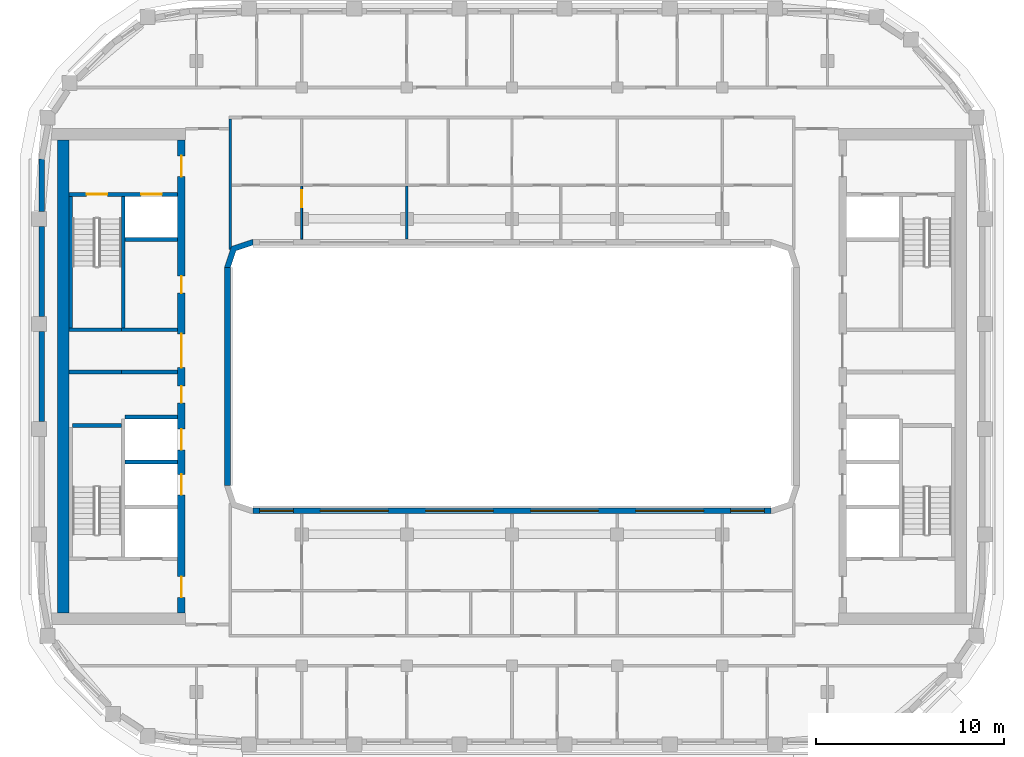
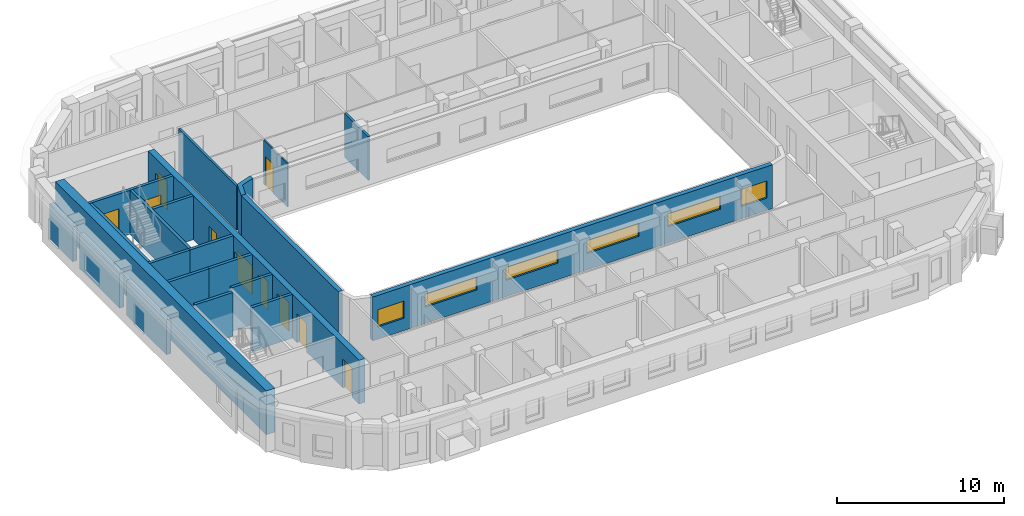
# One storey, part 4 of 16: 22 walls, 10 doors, 6 windows, 16 openings.
"""IFC4 building model written with IfcOpenShell, lengths in metres."""

from ifc_helpers import new_model, si_unit, direction, frame, frame_2d, origin, place, context, subcontext, project, spatial, polyline, rectangle, outline, extrude, material, layer, layer_set, type_object, element, fill, save


model = new_model("IFC4")

# Units and contexts
model_context = context("Model", 3, precision=1e-05, world=origin(), true_north=direction((0.0, 1.0)))
body_context = subcontext(model_context, "Body", "Model", "MODEL_VIEW")
ifc_project = project(units=[si_unit("LENGTHUNIT", "METRE"), si_unit("AREAUNIT", "SQUARE_METRE"), si_unit("VOLUMEUNIT", "CUBIC_METRE"), si_unit("PLANEANGLEUNIT", "RADIAN"), si_unit("MASSUNIT", "GRAM", prefix="KILO")], contexts=[model_context])

# Site, building, storey
site_placement = place(None, origin())
site = spatial("IfcSite", under=ifc_project, at=site_placement, CompositionType="ELEMENT")
building_placement = place(site_placement, origin())
building = spatial("IfcBuilding", under=site, at=building_placement, Name="Kiln Ring Residences", CompositionType="ELEMENT")
storey_placement = place(building_placement, frame((0.0, 0.0, 255.699951171875)))
storey = spatial("IfcBuildingStorey", under=building, at=storey_placement, Name="L66", CompositionType="ELEMENT", Elevation=255.699951171875)

# Walls
ifc_material_1 = material(Name="Gypsum board on steel studs", Category="steel")
ifc_layer_1 = layer(ifc_material_1, 0.199951171875)
ifc_layer_set_1 = layer_set([ifc_layer_1], Name="CORE-PARTITION-200")
wall_type_1 = type_object("IfcWallType", Name="CORE-PARTITION-200", PredefinedType="PARTITIONING", material=ifc_layer_set_1)
wall_1_placement = place(storey_placement, frame((-20.800048828125, 0.25, 0.0), z_axis=(0.0, 0.0, 1.0), x_axis=(-1.0, 0.0, 0.0)))
element("IfcWall", 1, at=wall_1_placement, inside=storey, type_object=wall_type_1, Name="Core partition west L66 1", PredefinedType="PARTITIONING", context=body_context, shape_type="SweptSolid", body=[
    extrude(rectangle(XDim=2.800048828125, YDim=0.199951171875, at=frame_2d((1.39990234375, 0.0))), origin(), (0.0, 0.0, 1.0), 3.199951171875),
])
ifc_material_2 = material(Name="Gypsum shaft wall system")
ifc_layer_2 = layer(ifc_material_2, 0.199951171875)
ifc_layer_set_2 = layer_set([ifc_layer_2], Name="CORE-SHAFT-WALL-200")
wall_type_2 = type_object("IfcWallType", Name="CORE-SHAFT-WALL-200", PredefinedType="PARTITIONING", material=ifc_layer_set_2)
for number, where, z_axis, x_axis, name in (
    (2, (-17.800048828125, -4.550048828125, 0.0), (0.0, 0.0, 1.0), (-1.0, 0.0, 0.0), "Core partition west L66 3"),
    (3, (-17.800048828125, -2.14990234375, 0.0), (0.0, 0.0, 1.0), (-1.0, 0.0, 0.0), "Core partition west L66 4"),
):
    element("IfcWall", number, at=place(storey_placement, frame(where, z_axis=z_axis, x_axis=x_axis)), inside=storey, type_object=wall_type_2, Name=name, PredefinedType="PARTITIONING", context=body_context, shape_type="SweptSolid", body=[
        extrude(rectangle(XDim=2.800048828125, YDim=0.199951171875, at=frame_2d((1.39990234375, 0.0))), origin(), (0.0, 0.0, 1.0), 3.199951171875),
    ])
for number, where, z_axis, x_axis, name in (
    (4, (-17.800048828125, 0.25, 0.0), (0.0, 0.0, 1.0), (-1.0, 0.0, 0.0), "Core partition west L66 5"),
    (5, (-17.800048828125, 2.5, 0.0), (0.0, 0.0, 1.0), (-1.0, 0.0, 0.0), "Core partition west L66 6"),
):
    element("IfcWall", number, at=place(storey_placement, frame(where, z_axis=z_axis, x_axis=x_axis)), inside=storey, type_object=wall_type_2, Name=name, PredefinedType="PARTITIONING", context=body_context, shape_type="SweptSolid", body=[
        extrude(rectangle(XDim=3.0, YDim=0.199951171875, at=frame_2d((1.5, 0.0))), origin(), (0.0, 0.0, 1.0), 3.199951171875),
    ])
wall_2_placement = place(storey_placement, frame((-17.800048828125, 7.300048828125, 0.0), z_axis=(0.0, 0.0, 1.0), x_axis=(-1.0, 0.0, 0.0)))
element("IfcWall", 6, at=wall_2_placement, inside=storey, type_object=wall_type_2, Name="Core partition west L66 7", PredefinedType="PARTITIONING", context=body_context, shape_type="SweptSolid", body=[
    extrude(rectangle(XDim=2.800048828125, YDim=0.199951171875, at=frame_2d((1.39990234375, 0.0))), origin(), (0.0, 0.0, 1.0), 3.199951171875),
])
ifc_material_3 = material(Name="Concrete C40/50", Category="concrete")
ifc_layer_3 = layer(ifc_material_3, 0.199951171875)
ifc_layer_set_3 = layer_set([ifc_layer_3], Name="CORE-WALL-RC200")
wall_type_3 = type_object("IfcWallType", Name="CORE-WALL-RC200", PredefinedType="SHEAR", material=ifc_layer_set_3)
wall_3_placement = place(storey_placement, frame((-20.699951171875, 2.60009765625, 0.0), z_axis=(0.0, 0.0, 1.0), x_axis=(0.0, 1.0, 0.0)))
element("IfcWall", 7, at=wall_3_placement, inside=storey, type_object=wall_type_3, Name="Core wall west L66 1", PredefinedType="SHEAR", context=body_context, shape_type="SweptSolid", body=[
    extrude(rectangle(XDim=7.0, YDim=0.199951171875, at=frame_2d((3.5, 0.0))), origin(), (0.0, 0.0, 1.0), 3.199951171875),
])
wall_4_placement = place(storey_placement, frame((-20.800048828125, 2.5, 0.0), z_axis=(0.0, 0.0, 1.0), x_axis=(-1.0, 0.0, 0.0)))
element("IfcWall", 8, at=wall_4_placement, inside=storey, type_object=wall_type_3, Name="Core wall west L66 3", PredefinedType="SHEAR", context=body_context, shape_type="SweptSolid", body=[
    extrude(rectangle(XDim=2.800048828125, YDim=0.199951171875, at=frame_2d((1.39990234375, 0.0))), origin(), (0.0, 0.0, 1.0), 3.199951171875),
])

# Wall, openings, doors
wall_5_placement = place(storey_placement, frame((-17.800048828125, 9.699951171875, 0.0), z_axis=(0.0, 0.0, 1.0), x_axis=(-1.0, 0.0, 0.0)))
wall_5 = element("IfcWall", 9, at=wall_5_placement, inside=storey, type_object=wall_type_3, Name="Core wall west L66 9", PredefinedType="SHEAR", context=body_context, shape_type="SweptSolid", body=[
    extrude(rectangle(XDim=5.800048828125, YDim=0.199951171875, at=frame_2d((2.89990234375, 0.0))), origin(), (0.0, 0.0, 1.0), 3.199951171875),
])
opening_1_placement = place(wall_5_placement, frame((0.85009765625, 0.0, 0.0)))
opening_1 = element("IfcOpeningElement", 10, at=opening_1_placement, cuts=wall_5, Name="Opening L66-CW06", PredefinedType="OPENING", context=body_context, shape_type="SweptSolid", body=[
    extrude(rectangle(XDim=1.10009765625, YDim=2.10009765625, at=frame_2d((0.550048828125, 1.050048828125))), frame((0.0, 0.10986328125, 0.0), z_axis=(0.0, -1.0, 0.0), x_axis=(1.0, 0.0, 0.0)), (0.0, 0.0, 1.0), 0.219970703125),
])
opening_2_placement = place(wall_5_placement, frame((3.75, 0.0, 0.0)))
opening_2 = element("IfcOpeningElement", 11, at=opening_2_placement, cuts=wall_5, Name="Opening L66-CW09", PredefinedType="OPENING", context=body_context, shape_type="SweptSolid", body=[
    extrude(rectangle(XDim=1.10009765625, YDim=2.10009765625, at=frame_2d((0.550048828125, 1.050048828125))), frame((0.0, 0.10986328125, 0.0), z_axis=(0.0, -1.0, 0.0), x_axis=(1.0, 0.0, 0.0)), (0.0, 0.0, 1.0), 0.219970703125),
])
ifc_material_4 = material(Name="Steel door leaf", Category="steel")
door_type_1 = type_object("IfcDoorType", Name="CORE-DOOR-LD", OperationType="DOUBLE_DOOR_SLIDING", PredefinedType="DOOR", material=ifc_material_4)
door_1_placement = place(opening_1_placement, origin())
door_1 = element("IfcDoor", 12, at=door_1_placement, inside=storey, type_object=door_type_1, Name="LD W-FF L66-CW06", OperationType="DOUBLE_DOOR_SLIDING", OverallHeight=2.10009765625, OverallWidth=1.10009765625, PredefinedType="DOOR", context=body_context, shape_type="SweptSolid", body=[
    extrude(rectangle(XDim=1.10009765625, YDim=2.10009765625, at=frame_2d((0.550048828125, 1.050048828125))), frame((0.0, 0.02490234375, 0.0), z_axis=(0.0, -1.0, 0.0), x_axis=(1.0, 0.0, 0.0)), (0.0, 0.0, 1.0), 0.050048828125),
])
fill(opening_1, door_1)
ifc_material_5 = material(Name="Steel door leaf", Category="steel")
door_type_2 = type_object("IfcDoorType", Name="CORE-DOOR-STAIR", OperationType="SINGLE_SWING_LEFT", PredefinedType="DOOR", material=ifc_material_5)
door_2_placement = place(opening_2_placement, origin())
door_2 = element("IfcDoor", 13, at=door_2_placement, inside=storey, type_object=door_type_2, Name="Stair W-STN L66-CW09", OperationType="SINGLE_SWING_LEFT", OverallHeight=2.10009765625, OverallWidth=1.10009765625, PredefinedType="DOOR", context=body_context, shape_type="SweptSolid", body=[
    extrude(rectangle(XDim=1.10009765625, YDim=2.10009765625, at=frame_2d((0.550048828125, 1.050048828125))), frame((0.0, 0.02490234375, 0.0), z_axis=(0.0, -1.0, 0.0), x_axis=(1.0, 0.0, 0.0)), (0.0, 0.0, 1.0), 0.050048828125),
])
fill(opening_2, door_2)

# Walls
wall_6_placement = place(storey_placement, frame((-23.5, 2.60009765625, 0.0), z_axis=(0.0, 0.0, 1.0), x_axis=(0.0, 1.0, 0.0)))
element("IfcWall", 14, at=wall_6_placement, inside=storey, type_object=wall_type_3, Name="Core wall west L66 10", PredefinedType="SHEAR", context=body_context, shape_type="SweptSolid", body=[
    extrude(rectangle(XDim=7.0, YDim=0.199951171875, at=frame_2d((3.5, 0.0))), origin(), (0.0, 0.0, 1.0), 3.199951171875),
])
wall_7_placement = place(storey_placement, frame((-20.800048828125, -2.60009765625, 0.0), z_axis=(0.0, 0.0, 1.0), x_axis=(-1.0, 0.0, 0.0)))
element("IfcWall", 15, at=wall_7_placement, inside=storey, type_object=wall_type_3, Name="Core wall west L66 12", PredefinedType="SHEAR", context=body_context, shape_type="SweptSolid", body=[
    extrude(rectangle(XDim=2.599853515625, YDim=0.199951171875, at=frame_2d((1.2998046875, 0.0))), origin(), (0.0, 0.0, 1.0), 3.199951171875),
])

# Wall, openings, doors
ifc_material_6 = material(Name="Concrete C60/75", Category="concrete")
ifc_layer_4 = layer(ifc_material_6, 0.39990234375)
ifc_layer_set_4 = layer_set([ifc_layer_4], Name="CORE-WALL-RC400")
wall_type_4 = type_object("IfcWallType", Name="CORE-WALL-RC400", PredefinedType="SHEAR", material=ifc_layer_set_4)
wall_8_placement = place(storey_placement, frame((-17.60009765625, -12.60009765625, 0.0), z_axis=(0.0, 0.0, 1.0), x_axis=(0.0, 1.0, 0.0)))
wall_8 = element("IfcWall", 16, at=wall_8_placement, inside=storey, type_object=wall_type_4, Name="Core wall west L66 6", PredefinedType="SHEAR", context=body_context, shape_type="SweptSolid", body=[
    extrude(rectangle(XDim=25.2001953125, YDim=0.39990234375, at=frame_2d((12.60009765625, 0.0))), origin(), (0.0, 0.0, 1.0), 3.199951171875),
])
opening_3_placement = place(wall_8_placement, frame((6.300048828125, 0.0, 0.0)))
opening_3 = element("IfcOpeningElement", 17, at=opening_3_placement, cuts=wall_8, Name="Opening L66-CW02", PredefinedType="OPENING", context=body_context, shape_type="SweptSolid", body=[
    extrude(rectangle(XDim=1.10009765625, YDim=2.10009765625, at=frame_2d((0.550048828125, 1.050048828125))), frame((0.0, 0.2099609375, 0.0), z_axis=(0.0, -1.0, 0.0), x_axis=(1.0, 0.0, 0.0)), (0.0, 0.0, 1.0), 0.419921875),
])
opening_4_placement = place(wall_8_placement, frame((8.699951171875, 0.0, 0.0)))
opening_4 = element("IfcOpeningElement", 18, at=opening_4_placement, cuts=wall_8, Name="Opening L66-CW03", PredefinedType="OPENING", context=body_context, shape_type="SweptSolid", body=[
    extrude(rectangle(XDim=1.10009765625, YDim=2.10009765625, at=frame_2d((0.550048828125, 1.050048828125))), frame((0.0, 0.2099609375, 0.0), z_axis=(0.0, -1.0, 0.0), x_axis=(1.0, 0.0, 0.0)), (0.0, 0.0, 1.0), 0.419921875),
])
opening_5_placement = place(wall_8_placement, frame((11.199951171875, 0.0, 0.0)))
opening_5 = element("IfcOpeningElement", 19, at=opening_5_placement, cuts=wall_8, Name="Opening L66-CW04", PredefinedType="OPENING", context=body_context, shape_type="SweptSolid", body=[
    extrude(rectangle(XDim=0.89990234375, YDim=2.10009765625, at=frame_2d((0.449951171875, 1.050048828125))), frame((0.0, 0.2099609375, 0.0), z_axis=(0.0, -1.0, 0.0), x_axis=(1.0, 0.0, 0.0)), (0.0, 0.0, 1.0), 0.419921875),
])
opening_6_placement = place(wall_8_placement, frame((17.050048828125, 0.0, 0.0)))
opening_6 = element("IfcOpeningElement", 20, at=opening_6_placement, cuts=wall_8, Name="Opening L66-CW05", PredefinedType="OPENING", context=body_context, shape_type="SweptSolid", body=[
    extrude(rectangle(XDim=0.89990234375, YDim=2.10009765625, at=frame_2d((0.449951171875, 1.050048828125))), frame((0.0, 0.2099609375, 0.0), z_axis=(0.0, -1.0, 0.0), x_axis=(1.0, 0.0, 0.0)), (0.0, 0.0, 1.0), 0.419921875),
])
opening_7_placement = place(wall_8_placement, frame((23.25, 0.0, 0.0)))
opening_7 = element("IfcOpeningElement", 21, at=opening_7_placement, cuts=wall_8, Name="Opening L66-CW07", PredefinedType="OPENING", context=body_context, shape_type="SweptSolid", body=[
    extrude(rectangle(XDim=1.10009765625, YDim=2.10009765625, at=frame_2d((0.550048828125, 1.050048828125))), frame((0.0, 0.2099609375, 0.0), z_axis=(0.0, -1.0, 0.0), x_axis=(1.0, 0.0, 0.0)), (0.0, 0.0, 1.0), 0.419921875),
])
opening_8_placement = place(wall_8_placement, frame((0.85009765625, 0.0, 0.0)))
opening_8 = element("IfcOpeningElement", 22, at=opening_8_placement, cuts=wall_8, Name="Opening L66-CW08", PredefinedType="OPENING", context=body_context, shape_type="SweptSolid", body=[
    extrude(rectangle(XDim=1.10009765625, YDim=2.10009765625, at=frame_2d((0.550048828125, 1.050048828125))), frame((0.0, 0.2099609375, 0.0), z_axis=(0.0, -1.0, 0.0), x_axis=(1.0, 0.0, 0.0)), (0.0, 0.0, 1.0), 0.419921875),
])
opening_9_placement = place(wall_8_placement, frame((13.074951171875, 0.0, 0.0)))
opening_9 = element("IfcOpeningElement", 23, at=opening_9_placement, cuts=wall_8, Name="Opening L66-CW11", PredefinedType="OPENING", context=body_context, shape_type="SweptSolid", body=[
    extrude(rectangle(XDim=1.800048828125, YDim=2.10009765625, at=frame_2d((0.89990234375, 1.050048828125))), frame((0.0, 0.2099609375, 0.0), z_axis=(0.0, -1.0, 0.0), x_axis=(1.0, 0.0, 0.0)), (0.0, 0.0, 1.0), 0.419921875),
])
door_3_placement = place(opening_3_placement, origin())
door_3 = element("IfcDoor", 24, at=door_3_placement, inside=storey, type_object=door_type_1, Name="LD W-H1 L66-CW02", OperationType="DOUBLE_DOOR_SLIDING", OverallHeight=2.10009765625, OverallWidth=1.10009765625, PredefinedType="DOOR", context=body_context, shape_type="SweptSolid", body=[
    extrude(rectangle(XDim=1.10009765625, YDim=2.10009765625, at=frame_2d((0.550048828125, 1.050048828125))), frame((0.0, 0.02490234375, 0.0), z_axis=(0.0, -1.0, 0.0), x_axis=(1.0, 0.0, 0.0)), (0.0, 0.0, 1.0), 0.050048828125),
])
fill(opening_3, door_3)
door_4_placement = place(opening_4_placement, origin())
door_4 = element("IfcDoor", 25, at=door_4_placement, inside=storey, type_object=door_type_1, Name="LD W-H2 L66-CW03", OperationType="DOUBLE_DOOR_SLIDING", OverallHeight=2.10009765625, OverallWidth=1.10009765625, PredefinedType="DOOR", context=body_context, shape_type="SweptSolid", body=[
    extrude(rectangle(XDim=1.10009765625, YDim=2.10009765625, at=frame_2d((0.550048828125, 1.050048828125))), frame((0.0, 0.02490234375, 0.0), z_axis=(0.0, -1.0, 0.0), x_axis=(1.0, 0.0, 0.0)), (0.0, 0.0, 1.0), 0.050048828125),
])
fill(opening_4, door_4)
ifc_material_7 = material(Name="Steel door leaf", Category="steel")
door_type_3 = type_object("IfcDoorType", Name="CORE-DOOR-LOBBY", OperationType="SINGLE_SWING_LEFT", PredefinedType="DOOR", material=ifc_material_7)
door_5_placement = place(opening_7_placement, origin())
door_5 = element("IfcDoor", 26, at=door_5_placement, inside=storey, type_object=door_type_3, Name="FFL L66-CW07", OperationType="SINGLE_SWING_RIGHT", OverallHeight=2.10009765625, OverallWidth=1.10009765625, PredefinedType="DOOR", context=body_context, shape_type="SweptSolid", body=[
    extrude(rectangle(XDim=1.10009765625, YDim=2.10009765625, at=frame_2d((0.550048828125, 1.050048828125))), frame((0.0, 0.02490234375, 0.0), z_axis=(0.0, -1.0, 0.0), x_axis=(1.0, 0.0, 0.0)), (0.0, 0.0, 1.0), 0.050048828125),
])
fill(opening_7, door_5)
door_6_placement = place(opening_8_placement, origin())
door_6 = element("IfcDoor", 27, at=door_6_placement, inside=storey, type_object=door_type_3, Name="SVL L66-CW08", OperationType="SINGLE_SWING_LEFT", OverallHeight=2.10009765625, OverallWidth=1.10009765625, PredefinedType="DOOR", context=body_context, shape_type="SweptSolid", body=[
    extrude(rectangle(XDim=1.10009765625, YDim=2.10009765625, at=frame_2d((0.550048828125, 1.050048828125))), frame((0.0, 0.02490234375, 0.0), z_axis=(0.0, -1.0, 0.0), x_axis=(1.0, 0.0, 0.0)), (0.0, 0.0, 1.0), 0.050048828125),
])
fill(opening_8, door_6)
ifc_material_8 = material(Name="Steel door leaf", Category="steel")
door_type_4 = type_object("IfcDoorType", Name="CORE-DOOR-PASS", OperationType="DOUBLE_DOOR_SINGLE_SWING", PredefinedType="DOOR", material=ifc_material_8)
door_7_placement = place(opening_9_placement, origin())
door_7 = element("IfcDoor", 28, at=door_7_placement, inside=storey, type_object=door_type_4, Name="Core passage L66-CW11", OperationType="DOUBLE_DOOR_SINGLE_SWING", OverallHeight=2.10009765625, OverallWidth=1.800048828125, PredefinedType="DOOR", context=body_context, shape_type="SweptSolid", body=[
    extrude(rectangle(XDim=1.800048828125, YDim=2.10009765625, at=frame_2d((0.89990234375, 1.050048828125))), frame((0.0, 0.02490234375, 0.0), z_axis=(0.0, -1.0, 0.0), x_axis=(1.0, 0.0, 0.0)), (0.0, 0.0, 1.0), 0.050048828125),
])
fill(opening_9, door_7)
ifc_material_9 = material(Name="Steel door leaf", Category="steel")
door_type_5 = type_object("IfcDoorType", Name="CORE-DOOR-ROOM", OperationType="SINGLE_SWING_LEFT", PredefinedType="DOOR", material=ifc_material_9)
door_8_placement = place(opening_5_placement, origin())
door_8 = element("IfcDoor", 29, at=door_8_placement, inside=storey, type_object=door_type_5, Name="Staff room L66-CW04", OperationType="SINGLE_SWING_RIGHT", OverallHeight=2.10009765625, OverallWidth=0.89990234375, PredefinedType="DOOR", context=body_context, shape_type="SweptSolid", body=[
    extrude(rectangle(XDim=0.89990234375, YDim=2.10009765625, at=frame_2d((0.449951171875, 1.050048828125))), frame((0.0, 0.02490234375, 0.0), z_axis=(0.0, -1.0, 0.0), x_axis=(1.0, 0.0, 0.0)), (0.0, 0.0, 1.0), 0.050048828125),
])
fill(opening_5, door_8)
door_9_placement = place(opening_6_placement, origin())
door_9 = element("IfcDoor", 30, at=door_9_placement, inside=storey, type_object=door_type_5, Name="Locker store L66-CW05", OperationType="SINGLE_SWING_LEFT", OverallHeight=2.10009765625, OverallWidth=0.89990234375, PredefinedType="DOOR", context=body_context, shape_type="SweptSolid", body=[
    extrude(rectangle(XDim=0.89990234375, YDim=2.10009765625, at=frame_2d((0.449951171875, 1.050048828125))), frame((0.0, 0.02490234375, 0.0), z_axis=(0.0, -1.0, 0.0), x_axis=(1.0, 0.0, 0.0)), (0.0, 0.0, 1.0), 0.050048828125),
])
fill(opening_6, door_9)

# Walls
ifc_material_10 = material(Name="Concrete C60/75", Category="concrete")
ifc_layer_5 = layer(ifc_material_10, 0.60009765625)
ifc_layer_set_5 = layer_set([ifc_layer_5], Name="CORE-WALL-RC600")
wall_type_5 = type_object("IfcWallType", Name="CORE-WALL-RC600", PredefinedType="SHEAR", material=ifc_layer_set_5)
wall_9_placement = place(storey_placement, frame((-23.89990234375, -12.60009765625, 0.0), z_axis=(0.0, 0.0, 1.0), x_axis=(0.0, 1.0, 0.0)))
element("IfcWall", 31, at=wall_9_placement, inside=storey, type_object=wall_type_5, Name="Core wall west L66 7", PredefinedType="SHEAR", context=body_context, shape_type="SweptSolid", body=[
    extrude(rectangle(XDim=25.2001953125, YDim=0.60009765625, at=frame_2d((12.60009765625, 0.0))), origin(), (0.0, 0.0, 1.0), 3.199951171875),
])
ifc_material_11 = material(Name="Brick masonry, dark clay brick", Category="masonry")
ifc_layer_6 = layer(ifc_material_11, 0.300048828125)
ifc_layer_set_6 = layer_set([ifc_layer_6], Name="EW-300 BRICK WALL")
wall_type_6 = type_object("IfcWallType", Name="EW-300 BRICK WALL", PredefinedType="SOLIDWALL", material=ifc_layer_set_6)
wall_10_placement = place(storey_placement, frame((-25.050048828125, 11.60009765625, 0.0), z_axis=(0.0, 0.0, 1.0), x_axis=(0.0, -1.0, 0.0)))
element("IfcWall", 32, at=wall_10_placement, inside=storey, type_object=wall_type_6, Name="Facade wall L66 38", PredefinedType="SOLIDWALL", context=body_context, shape_type="SweptSolid", body=[
    extrude(rectangle(XDim=2.800048828125, YDim=0.300048828125, at=frame_2d((1.39990234375, 0.0))), origin(), (0.0, 0.0, 1.0), 2.550048828125),
])
wall_11_placement = place(storey_placement, frame((-25.050048828125, 8.0, 0.0), z_axis=(0.0, 0.0, 1.0), x_axis=(0.0, -1.0, 0.0)))
element("IfcWall", 33, at=wall_11_placement, inside=storey, type_object=wall_type_6, Name="Facade wall L66 39", PredefinedType="SOLIDWALL", context=body_context, shape_type="SweptSolid", body=[
    extrude(rectangle(XDim=4.800048828125, YDim=0.300048828125, at=frame_2d((2.39990234375, 0.0))), origin(), (0.0, 0.0, 1.0), 2.550048828125),
])
wall_12_placement = place(storey_placement, frame((-25.050048828125, 2.39990234375, 0.0), z_axis=(0.0, 0.0, 1.0), x_axis=(0.0, -1.0, 0.0)))
element("IfcWall", 34, at=wall_12_placement, inside=storey, type_object=wall_type_6, Name="Facade wall L66 40", PredefinedType="SOLIDWALL", context=body_context, shape_type="SweptSolid", body=[
    extrude(rectangle(XDim=4.7998046875, YDim=0.300048828125, at=frame_2d((2.39990234375, 0.0))), origin(), (0.0, 0.0, 1.0), 2.550048828125),
])
wall_13_placement = place(storey_placement, frame((-15.14990234375, -5.800048828125, 0.0), z_axis=(0.0, 0.0, 1.0), x_axis=(0.0, 1.0, 0.0)))
element("IfcWall", 35, at=wall_13_placement, inside=storey, type_object=wall_type_6, Name="Facade wall L66 45", PredefinedType="SOLIDWALL", context=body_context, shape_type="SweptSolid", body=[
    extrude(rectangle(XDim=11.60009765625, YDim=0.300048828125, at=frame_2d((5.800048828125, 0.0))), origin(), (0.0, 0.0, 1.0), 3.199951171875),
])

# Wall, openings, windows
wall_14_placement = place(storey_placement, frame((13.800048828125, -7.14990234375, 0.0), z_axis=(0.0, 0.0, 1.0), x_axis=(-1.0, 0.0, 0.0)))
wall_14 = element("IfcWall", 36, at=wall_14_placement, inside=storey, type_object=wall_type_6, Name="Facade wall L66 48", PredefinedType="SOLIDWALL", context=body_context, shape_type="SweptSolid", body=[
    extrude(rectangle(XDim=27.60009765625, YDim=0.300048828125, at=frame_2d((13.800048828125, 0.0))), origin(), (0.0, 0.0, 1.0), 3.199951171875),
])
opening_10_placement = place(wall_14_placement, frame((0.362548828125, 0.0, 0.89990234375)))
opening_10 = element("IfcOpeningElement", 37, at=opening_10_placement, cuts=wall_14, Name="Opening W2", PredefinedType="OPENING", context=body_context, shape_type="SweptSolid", body=[
    extrude(rectangle(XDim=1.800048828125, YDim=1.25, at=frame_2d((0.89990234375, 0.625))), frame((0.0, 0.159912109375, 0.0), z_axis=(0.0, -1.0, 0.0), x_axis=(1.0, 0.0, 0.0)), (0.0, 0.0, 1.0), 0.320068359375),
])
opening_11_placement = place(wall_14_placement, frame((3.60009765625, 0.0, 1.199951171875)))
opening_11 = element("IfcOpeningElement", 38, at=opening_11_placement, cuts=wall_14, Name="Opening W4", PredefinedType="OPENING", context=body_context, shape_type="SweptSolid", body=[
    extrude(rectangle(XDim=3.60009765625, YDim=0.949951171875, at=frame_2d((1.800048828125, 0.47509765625))), frame((0.0, 0.159912109375, 0.0), z_axis=(0.0, -1.0, 0.0), x_axis=(1.0, 0.0, 0.0)), (0.0, 0.0, 1.0), 0.320068359375),
])
opening_12_placement = place(wall_14_placement, frame((9.199951171875, 0.0, 1.199951171875)))
opening_12 = element("IfcOpeningElement", 39, at=opening_12_placement, cuts=wall_14, Name="Opening W4", PredefinedType="OPENING", context=body_context, shape_type="SweptSolid", body=[
    extrude(rectangle(XDim=3.60009765625, YDim=0.949951171875, at=frame_2d((1.800048828125, 0.47509765625))), frame((0.0, 0.159912109375, 0.0), z_axis=(0.0, -1.0, 0.0), x_axis=(1.0, 0.0, 0.0)), (0.0, 0.0, 1.0), 0.320068359375),
])
opening_13_placement = place(wall_14_placement, frame((14.800048828125, 0.0, 1.199951171875)))
opening_13 = element("IfcOpeningElement", 40, at=opening_13_placement, cuts=wall_14, Name="Opening W4", PredefinedType="OPENING", context=body_context, shape_type="SweptSolid", body=[
    extrude(rectangle(XDim=3.60009765625, YDim=0.949951171875, at=frame_2d((1.800048828125, 0.47509765625))), frame((0.0, 0.159912109375, 0.0), z_axis=(0.0, -1.0, 0.0), x_axis=(1.0, 0.0, 0.0)), (0.0, 0.0, 1.0), 0.320068359375),
])
opening_14_placement = place(wall_14_placement, frame((20.39990234375, 0.0, 1.199951171875)))
opening_14 = element("IfcOpeningElement", 41, at=opening_14_placement, cuts=wall_14, Name="Opening W4", PredefinedType="OPENING", context=body_context, shape_type="SweptSolid", body=[
    extrude(rectangle(XDim=3.60009765625, YDim=0.949951171875, at=frame_2d((1.800048828125, 0.47509765625))), frame((0.0, 0.159912109375, 0.0), z_axis=(0.0, -1.0, 0.0), x_axis=(1.0, 0.0, 0.0)), (0.0, 0.0, 1.0), 0.320068359375),
])
opening_15_placement = place(wall_14_placement, frame((25.4375, 0.0, 0.89990234375)))
opening_15 = element("IfcOpeningElement", 42, at=opening_15_placement, cuts=wall_14, Name="Opening W2", PredefinedType="OPENING", context=body_context, shape_type="SweptSolid", body=[
    extrude(rectangle(XDim=1.800048828125, YDim=1.25, at=frame_2d((0.89990234375, 0.625))), frame((0.0, 0.159912109375, 0.0), z_axis=(0.0, -1.0, 0.0), x_axis=(1.0, 0.0, 0.0)), (0.0, 0.0, 1.0), 0.320068359375),
])
ifc_material_12 = material(Name="Aluminium frame with double glazing", Category="aluminium")
window_type_1 = type_object("IfcWindowType", Name="WINDOW 1800 x 1250", PartitioningType="SINGLE_PANEL", PredefinedType="WINDOW", material=ifc_material_12)
window_1_placement = place(opening_10_placement, origin())
window_1 = element("IfcWindow", 43, at=window_1_placement, inside=storey, type_object=window_type_1, Name="Window L66 44", OverallHeight=1.25, OverallWidth=1.800048828125, PartitioningType="SINGLE_PANEL", PredefinedType="WINDOW", context=body_context, shape_type="SweptSolid", body=[
    extrude(rectangle(XDim=1.800048828125, YDim=1.25, at=frame_2d((0.89990234375, 0.625))), frame((0.0, 0.030029296875, 0.0), z_axis=(0.0, -1.0, 0.0), x_axis=(1.0, 0.0, 0.0)), (0.0, 0.0, 1.0), 0.06005859375),
])
fill(opening_10, window_1)
window_2_placement = place(opening_15_placement, origin())
window_2 = element("IfcWindow", 44, at=window_2_placement, inside=storey, type_object=window_type_1, Name="Window L66 49", OverallHeight=1.25, OverallWidth=1.800048828125, PartitioningType="SINGLE_PANEL", PredefinedType="WINDOW", context=body_context, shape_type="SweptSolid", body=[
    extrude(rectangle(XDim=1.800048828125, YDim=1.25, at=frame_2d((0.89990234375, 0.625))), frame((0.0, 0.030029296875, 0.0), z_axis=(0.0, -1.0, 0.0), x_axis=(1.0, 0.0, 0.0)), (0.0, 0.0, 1.0), 0.06005859375),
])
fill(opening_15, window_2)
ifc_material_13 = material(Name="Aluminium frame with double glazing", Category="aluminium")
window_type_2 = type_object("IfcWindowType", Name="WINDOW 3600 x 950", PartitioningType="SINGLE_PANEL", PredefinedType="WINDOW", material=ifc_material_13)
window_3_placement = place(opening_11_placement, origin())
window_3 = element("IfcWindow", 45, at=window_3_placement, inside=storey, type_object=window_type_2, Name="Window L66 45", OverallHeight=0.949951171875, OverallWidth=3.60009765625, PartitioningType="SINGLE_PANEL", PredefinedType="WINDOW", context=body_context, shape_type="SweptSolid", body=[
    extrude(rectangle(XDim=3.60009765625, YDim=0.949951171875, at=frame_2d((1.800048828125, 0.47509765625))), frame((0.0, 0.030029296875, 0.0), z_axis=(0.0, -1.0, 0.0), x_axis=(1.0, 0.0, 0.0)), (0.0, 0.0, 1.0), 0.06005859375),
])
fill(opening_11, window_3)
window_4_placement = place(opening_12_placement, origin())
window_4 = element("IfcWindow", 46, at=window_4_placement, inside=storey, type_object=window_type_2, Name="Window L66 46", OverallHeight=0.949951171875, OverallWidth=3.60009765625, PartitioningType="SINGLE_PANEL", PredefinedType="WINDOW", context=body_context, shape_type="SweptSolid", body=[
    extrude(rectangle(XDim=3.60009765625, YDim=0.949951171875, at=frame_2d((1.800048828125, 0.47509765625))), frame((0.0, 0.030029296875, 0.0), z_axis=(0.0, -1.0, 0.0), x_axis=(1.0, 0.0, 0.0)), (0.0, 0.0, 1.0), 0.06005859375),
])
fill(opening_12, window_4)
window_5_placement = place(opening_13_placement, origin())
window_5 = element("IfcWindow", 47, at=window_5_placement, inside=storey, type_object=window_type_2, Name="Window L66 47", OverallHeight=0.949951171875, OverallWidth=3.60009765625, PartitioningType="SINGLE_PANEL", PredefinedType="WINDOW", context=body_context, shape_type="SweptSolid", body=[
    extrude(rectangle(XDim=3.60009765625, YDim=0.949951171875, at=frame_2d((1.800048828125, 0.47509765625))), frame((0.0, 0.030029296875, 0.0), z_axis=(0.0, -1.0, 0.0), x_axis=(1.0, 0.0, 0.0)), (0.0, 0.0, 1.0), 0.06005859375),
])
fill(opening_13, window_5)
window_6_placement = place(opening_14_placement, origin())
window_6 = element("IfcWindow", 48, at=window_6_placement, inside=storey, type_object=window_type_2, Name="Window L66 48", OverallHeight=0.949951171875, OverallWidth=3.60009765625, PartitioningType="SINGLE_PANEL", PredefinedType="WINDOW", context=body_context, shape_type="SweptSolid", body=[
    extrude(rectangle(XDim=3.60009765625, YDim=0.949951171875, at=frame_2d((1.800048828125, 0.47509765625))), frame((0.0, 0.030029296875, 0.0), z_axis=(0.0, -1.0, 0.0), x_axis=(1.0, 0.0, 0.0)), (0.0, 0.0, 1.0), 0.06005859375),
])
fill(opening_14, window_6)

# Wall
wall_15_placement = place(storey_placement, origin())
element("IfcWall", 49, at=wall_15_placement, inside=storey, type_object=wall_type_6, Name="Corner wall L66 1", PredefinedType="SOLIDWALL", context=body_context, shape_type="SweptSolid", body=[
    extrude(outline(polyline([(-13.8486328125, 7.300048828125), (-14.937255859375, 6.937255859375), (-15.300048828125, 5.8486328125), (-15.300048828125, 5.800048828125), (-15.0, 5.800048828125), (-14.699951171875, 6.699951171875), (-13.800048828125, 7.0), (-13.800048828125, 7.300048828125), (-13.8486328125, 7.300048828125)])), origin(), (0.0, 0.0, 1.0), 3.199951171875),
])

# Wall, opening, door
ifc_material_14 = material(Name="Gypsum board on steel studs", Category="steel")
ifc_layer_7 = layer(ifc_material_14, 0.10009765625)
ifc_layer_set_7 = layer_set([ifc_layer_7], Name="PARTITION-100")
wall_type_7 = type_object("IfcWallType", Name="PARTITION-100", PredefinedType="PARTITIONING", material=ifc_layer_set_7)
wall_16_placement = place(storey_placement, frame((-11.199951171875, 7.320068359375, 0.0), z_axis=(0.0, 0.0, 1.0), x_axis=(0.0, 1.0, 0.0)))
wall_16 = element("IfcWall", 50, at=wall_16_placement, inside=storey, type_object=wall_type_7, Name="Partition 018", PredefinedType="PARTITIONING", context=body_context, shape_type="SweptSolid", body=[
    extrude(rectangle(XDim=2.829833984375, YDim=0.10009765625, at=frame_2d((1.4150390625, 0.0))), origin(), (0.0, 0.0, 1.0), 3.199951171875),
])
opening_16_placement = place(wall_16_placement, frame((1.699951171875, 0.0, 0.0)))
opening_16 = element("IfcOpeningElement", 51, at=opening_16_placement, cuts=wall_16, Name="Opening L66-D008", PredefinedType="OPENING", context=body_context, shape_type="SweptSolid", body=[
    extrude(rectangle(XDim=0.89990234375, YDim=2.10009765625, at=frame_2d((0.449951171875, 1.050048828125))), frame((0.0, 0.06005859375, 0.0), z_axis=(0.0, -1.0, 0.0), x_axis=(1.0, 0.0, 0.0)), (0.0, 0.0, 1.0), 0.1201171875),
])
ifc_material_15 = material(Name="Timber door leaf", Category="wood")
door_type_6 = type_object("IfcDoorType", Name="FLAT-DOOR-900-PL", OperationType="SINGLE_SWING_LEFT", PredefinedType="DOOR", material=ifc_material_15)
door_10_placement = place(opening_16_placement, origin())
door_10 = element("IfcDoor", 52, at=door_10_placement, inside=storey, type_object=door_type_6, Name="Door L66-D008", OperationType="SINGLE_SWING_RIGHT", OverallHeight=2.10009765625, OverallWidth=0.89990234375, PredefinedType="DOOR", context=body_context, shape_type="SweptSolid", body=[
    extrude(rectangle(XDim=0.89990234375, YDim=2.10009765625, at=frame_2d((0.449951171875, 1.050048828125))), frame((0.0, 0.02490234375, 0.0), z_axis=(0.0, -1.0, 0.0), x_axis=(1.0, 0.0, 0.0)), (0.0, 0.0, 1.0), 0.050048828125),
])
fill(opening_16, door_10)

# Walls
ifc_material_16 = material(Name="Brick masonry partition", Category="masonry")
ifc_layer_8 = layer(ifc_material_16, 0.14990234375)
ifc_layer_set_8 = layer_set([ifc_layer_8], Name="PARTITION-150-ei60")
wall_type_8 = type_object("IfcWallType", Name="PARTITION-150-ei60", PredefinedType="PARTITIONING", material=ifc_layer_set_8)
wall_17_placement = place(storey_placement, frame((-15.0, 6.768798828125, 0.0), z_axis=(0.0, 0.0, 1.0), x_axis=(0.0, 1.0, 0.0)))
element("IfcWall", 53, at=wall_17_placement, inside=storey, type_object=wall_type_8, Name="Partition 013", PredefinedType="PARTITIONING", context=body_context, shape_type="SweptSolid", body=[
    extrude(rectangle(XDim=6.956298828125, YDim=0.14990234375, at=frame_2d((3.47802734375, 0.0))), origin(), (0.0, 0.0, 1.0), 3.199951171875),
])
wall_18_placement = place(storey_placement, frame((-5.60009765625, 7.320068359375, 0.0), z_axis=(0.0, 0.0, 1.0), x_axis=(0.0, 1.0, 0.0)))
element("IfcWall", 54, at=wall_18_placement, inside=storey, type_object=wall_type_8, Name="Partition 027", PredefinedType="PARTITIONING", context=body_context, shape_type="SweptSolid", body=[
    extrude(rectangle(XDim=2.829833984375, YDim=0.14990234375, at=frame_2d((1.4150390625, 0.0))), origin(), (0.0, 0.0, 1.0), 3.199951171875),
])

save(model, "model.ifc")
